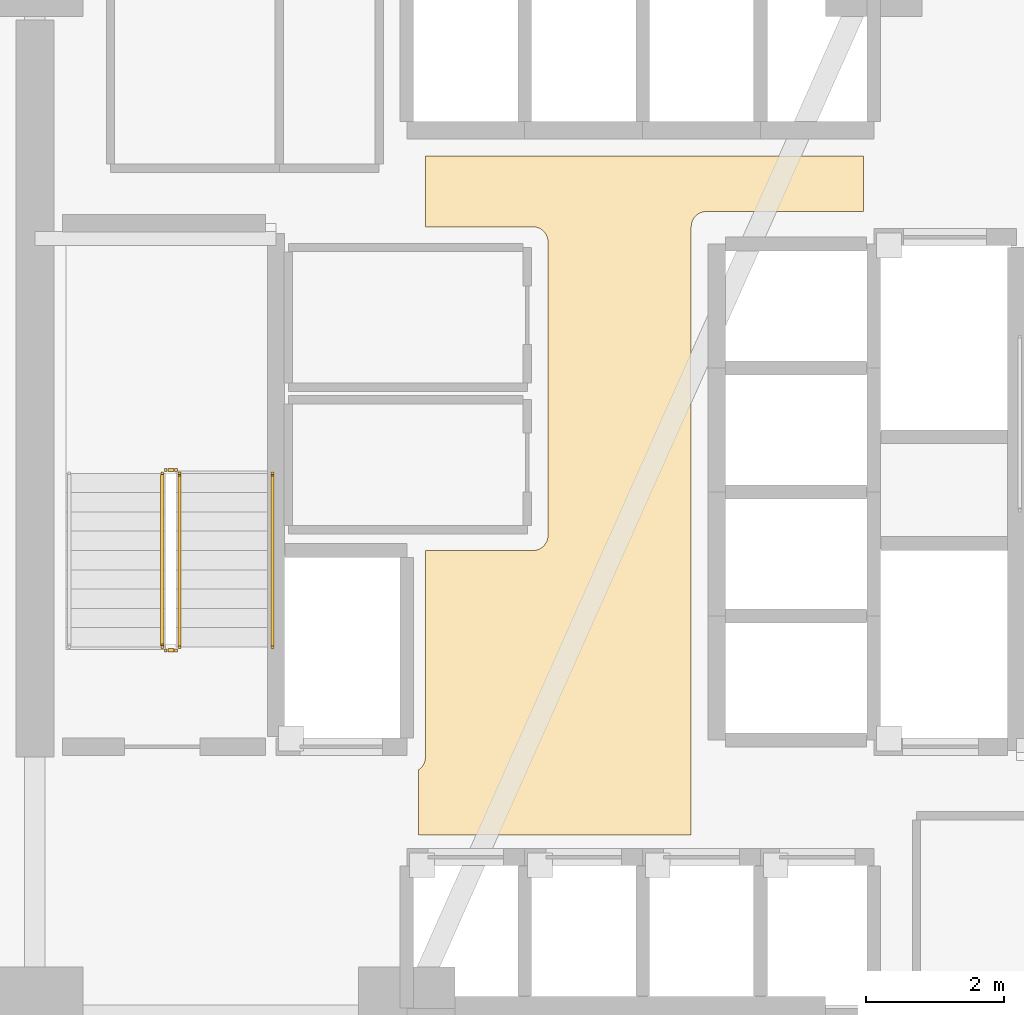
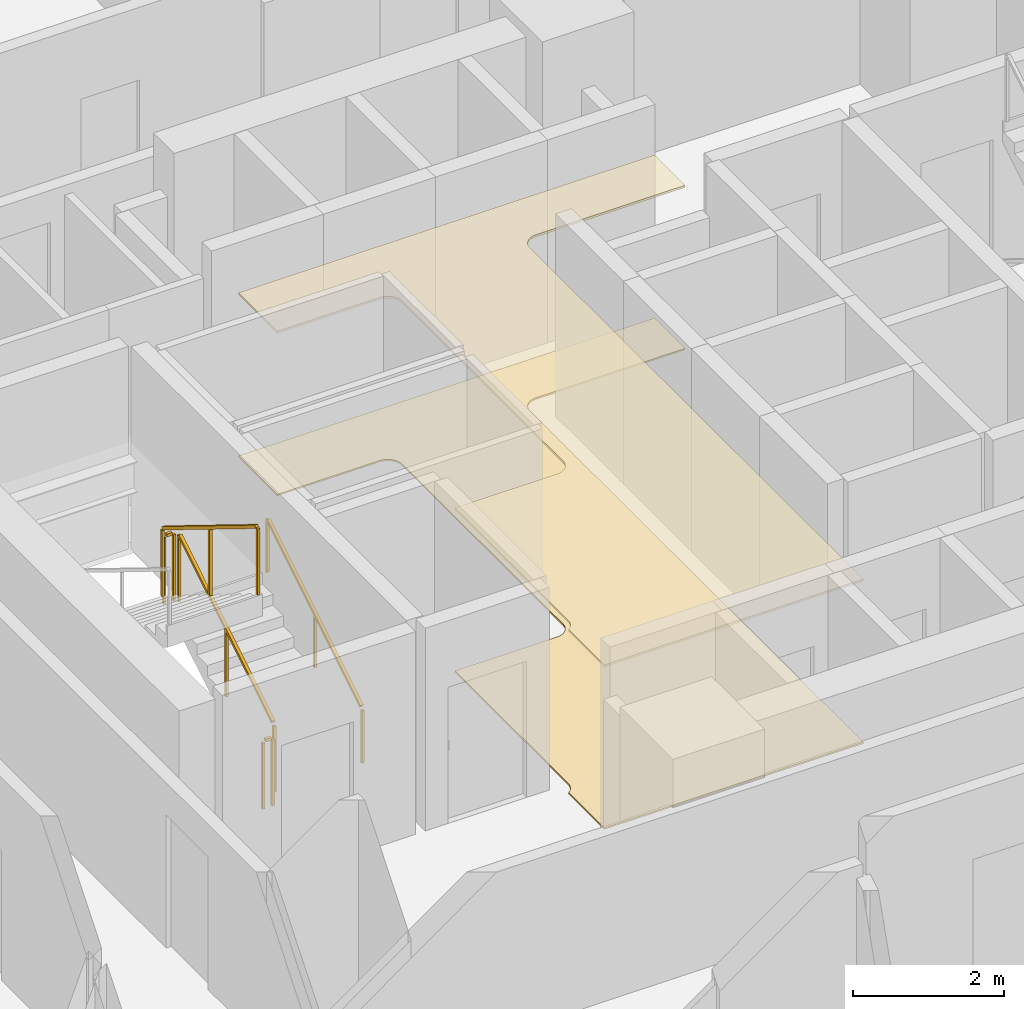
# One storey, part 12 of 15: 5 railings, 2 coverings.
"""IFC4 building model written with IfcOpenShell, lengths in metres."""

from ifc_helpers import new_model, si_unit, direction, frame, origin, origin_2d, place, context, subcontext, project, spatial, polyline, rectangle, outline, extrude, material, layer, layer_set, type_object, element, save


model = new_model("IFC4")

# Units and contexts
model_context = context("Model", 3, precision=1e-05, world=origin(), true_north=direction((0.0, 1.0)))
body_context = subcontext(model_context, "Body", "Model", "MODEL_VIEW")
ifc_project = project(units=[si_unit("LENGTHUNIT", "METRE"), si_unit("AREAUNIT", "SQUARE_METRE"), si_unit("VOLUMEUNIT", "CUBIC_METRE"), si_unit("PLANEANGLEUNIT", "RADIAN"), si_unit("MASSUNIT", "GRAM", prefix="KILO")], contexts=[model_context])

# Site, building, storey
site_placement = place(None, origin())
site = spatial("IfcSite", under=ifc_project, at=site_placement, CompositionType="ELEMENT")
building_placement = place(site_placement, origin())
building = spatial("IfcBuilding", under=site, at=building_placement, Name="Tharavind Bronze Gate", CompositionType="ELEMENT")
storey_placement = place(building_placement, frame((0.0, 0.0, 57.0)))
storey = spatial("IfcBuildingStorey", under=building, at=storey_placement, Name="L13", CompositionType="ELEMENT", Elevation=57.0)

# Coverings
ifc_material_1 = material(Name="Perforated Bronze Acoustic Panel", Category="bronze")
ifc_layer_1 = layer(ifc_material_1, 0.044921875)
ifc_layer_set_1 = layer_set([ifc_layer_1], Name="Perforated Bronze Acoustic Panel")
covering_type_1 = type_object("IfcCoveringType", Name="ACOUSTIC BRONZE BAFFLE CEILING", PredefinedType="CEILING", material=ifc_layer_set_1)
covering_1_placement = place(storey_placement, frame((0.0, 0.0, 2.625)))
element("IfcCovering", 1, at=covering_1_placement, inside=storey, type_object=covering_type_1, Name="L13-C-LL suspended ceiling", PredefinedType="CEILING", context=body_context, shape_type="SweptSolid", body=[
    extrude(outline(polyline([(-3.330078125, -4.97998046875), (0.6298828125, -4.97998046875), (0.6298828125, 3.85009765625), (0.631103515625, 3.87158203125), (0.63427734375, 3.892822265625), (0.639404296875, 3.913818359375), (0.646728515625, 3.93408203125), (0.656005859375, 3.95361328125), (0.6669921875, 3.97216796875), (0.679931640625, 3.989501953125), (0.6943359375, 4.005615234375), (0.71044921875, 4.02001953125), (0.727783203125, 4.032958984375), (0.746337890625, 4.0439453125), (0.765869140625, 4.05322265625), (0.7861328125, 4.060546875), (0.80712890625, 4.06591796875), (0.828369140625, 4.06884765625), (0.85009765625, 4.070068359375), (3.1298828125, 4.070068359375), (3.1298828125, 4.8798828125), (-3.22998046875, 4.8798828125), (-3.22998046875, 3.85009765625), (-1.669921875, 3.85009765625), (-1.6484375, 3.848876953125), (-1.627197265625, 3.845703125), (-1.606201171875, 3.840576171875), (-1.585693359375, 3.833251953125), (-1.56640625, 3.823974609375), (-1.5478515625, 3.81298828125), (-1.530517578125, 3.800048828125), (-1.514404296875, 3.78564453125), (-1.5, 3.76953125), (-1.487060546875, 3.752197265625), (-1.47607421875, 3.733642578125), (-1.466796875, 3.714111328125), (-1.45947265625, 3.69384765625), (-1.4541015625, 3.6728515625), (-1.451171875, 3.651611328125), (-1.449951171875, 3.6298828125), (-1.449951171875, 1.43994140625), (-1.450439453125, 1.429931640625), (-1.449951171875, 1.419921875), (-1.449951171875, -0.6298828125), (-1.451171875, -0.651611328125), (-1.4541015625, -0.6728515625), (-1.45947265625, -0.69384765625), (-1.466796875, -0.714111328125), (-1.47607421875, -0.733642578125), (-1.487060546875, -0.752197265625), (-1.5, -0.76953125), (-1.514404296875, -0.78564453125), (-1.530517578125, -0.800048828125), (-1.5478515625, -0.81298828125), (-1.56640625, -0.823974609375), (-1.585693359375, -0.833251953125), (-1.606201171875, -0.840576171875), (-1.627197265625, -0.845703125), (-1.6484375, -0.848876953125), (-1.669921875, -0.85009765625), (-3.22998046875, -0.85009765625), (-3.22998046875, -3.85009765625), (-3.231201171875, -3.87158203125), (-3.234130859375, -3.892822265625), (-3.239501953125, -3.913818359375), (-3.24658203125, -3.93408203125), (-3.256103515625, -3.95361328125), (-3.26708984375, -3.97216796875), (-3.27978515625, -3.989501953125), (-3.29443359375, -4.005615234375), (-3.310302734375, -4.02001953125), (-3.327880859375, -4.032958984375), (-3.330078125, -4.0341796875), (-3.330078125, -4.97998046875)])), origin(), (0.0, 0.0, 1.0), 0.034912109375),
])
ifc_material_2 = material(Name="Honed Travertine Limestone", Category="masonry")
ifc_layer_2 = layer(ifc_material_2, 0.030029296875)
ifc_layer_set_2 = layer_set([ifc_layer_2], Name="Honed Travertine Limestone")
covering_type_2 = type_object("IfcCoveringType", Name="HONED LIMESTONE FLOORING", PredefinedType="FLOORING", material=ifc_layer_set_2)
covering_2_placement = place(storey_placement, origin())
element("IfcCovering", 2, at=covering_2_placement, inside=storey, type_object=covering_type_2, Name="L13-C-LL floor finish", PredefinedType="FLOORING", context=body_context, shape_type="SweptSolid", body=[
    extrude(outline(polyline([(-3.330078125, -4.97998046875), (0.6298828125, -4.97998046875), (0.6298828125, 3.85009765625), (0.631103515625, 3.87158203125), (0.63427734375, 3.892822265625), (0.639404296875, 3.913818359375), (0.646728515625, 3.93408203125), (0.656005859375, 3.95361328125), (0.6669921875, 3.97216796875), (0.679931640625, 3.989501953125), (0.6943359375, 4.005615234375), (0.71044921875, 4.02001953125), (0.727783203125, 4.032958984375), (0.746337890625, 4.0439453125), (0.765869140625, 4.05322265625), (0.7861328125, 4.060546875), (0.80712890625, 4.06591796875), (0.828369140625, 4.06884765625), (0.85009765625, 4.070068359375), (3.1298828125, 4.070068359375), (3.1298828125, 4.8798828125), (-3.22998046875, 4.8798828125), (-3.22998046875, 3.85009765625), (-1.669921875, 3.85009765625), (-1.6484375, 3.848876953125), (-1.627197265625, 3.845703125), (-1.606201171875, 3.840576171875), (-1.585693359375, 3.833251953125), (-1.56640625, 3.823974609375), (-1.5478515625, 3.81298828125), (-1.530517578125, 3.800048828125), (-1.514404296875, 3.78564453125), (-1.5, 3.76953125), (-1.487060546875, 3.752197265625), (-1.47607421875, 3.733642578125), (-1.466796875, 3.714111328125), (-1.45947265625, 3.69384765625), (-1.4541015625, 3.6728515625), (-1.451171875, 3.651611328125), (-1.449951171875, 3.6298828125), (-1.449951171875, 1.43994140625), (-1.450439453125, 1.429931640625), (-1.449951171875, 1.419921875), (-1.449951171875, -0.6298828125), (-1.451171875, -0.651611328125), (-1.4541015625, -0.6728515625), (-1.45947265625, -0.69384765625), (-1.466796875, -0.714111328125), (-1.47607421875, -0.733642578125), (-1.487060546875, -0.752197265625), (-1.5, -0.76953125), (-1.514404296875, -0.78564453125), (-1.530517578125, -0.800048828125), (-1.5478515625, -0.81298828125), (-1.56640625, -0.823974609375), (-1.585693359375, -0.833251953125), (-1.606201171875, -0.840576171875), (-1.627197265625, -0.845703125), (-1.6484375, -0.848876953125), (-1.669921875, -0.85009765625), (-3.22998046875, -0.85009765625), (-3.22998046875, -3.85009765625), (-3.231201171875, -3.87158203125), (-3.234130859375, -3.892822265625), (-3.239501953125, -3.913818359375), (-3.24658203125, -3.93408203125), (-3.256103515625, -3.95361328125), (-3.26708984375, -3.97216796875), (-3.27978515625, -3.989501953125), (-3.29443359375, -4.005615234375), (-3.310302734375, -4.02001953125), (-3.327880859375, -4.032958984375), (-3.330078125, -4.0341796875), (-3.330078125, -4.97998046875)])), origin(), (0.0, 0.0, 1.0), 0.02490234375),
])

# Railings
ifc_material_3 = material(Name="Brushed Bronze Alloy", Category="metal")
railing_type_1 = type_object("IfcRailingType", Name="STAIR BRONZE HANDRAIL 900", PredefinedType="HANDRAIL", material=ifc_material_3)
railing_1_placement = place(storey_placement, frame((-5.449951171875, -2.25, 0.172607421875)))
element("IfcRailing", 3, at=railing_1_placement, inside=storey, type_object=railing_type_1, Name="L13 ST1 stair handrail 1", PredefinedType="HANDRAIL", context=body_context, shape_type="SweptSolid", body=[
    extrude(rectangle(XDim=0.048095703125, YDim=0.048095703125, at=origin_2d()), frame((0.0, 0.02734375, 0.892578125), z_axis=(0.0, 0.851400495292, 0.524516154772), x_axis=(-1.0, 0.0, 0.0)), (0.0, 0.0, 1.0), 2.895751953125),
    extrude(rectangle(XDim=0.0400390625, YDim=0.0400390625, at=origin_2d()), origin(), (0.0, 0.0, 1.0), 0.847900390625),
    extrude(rectangle(XDim=0.0400390625, YDim=0.0400390625, at=origin_2d()), frame((0.0, 1.260009765625, 0.7763671875)), (0.0, 0.0, 1.0), 0.847900390625),
    extrude(rectangle(XDim=0.0400390625, YDim=0.0400390625, at=origin_2d()), frame((0.0, 2.52001953125, 1.552490234375)), (0.0, 0.0, 1.0), 0.847900390625),
])
railing_type_2 = type_object("IfcRailingType", Name="STAIR WELL GUARD RAILING 1120", PredefinedType="GUARDRAIL", material=ifc_material_3)
railing_2_placement = place(storey_placement, frame((-6.800048828125, -2.25, 0.172607421875)))
element("IfcRailing", 4, at=railing_2_placement, inside=storey, type_object=railing_type_2, Name="L13 ST1 stair guard 1", PredefinedType="GUARDRAIL", context=body_context, shape_type="SweptSolid", body=[
    extrude(rectangle(XDim=0.048095703125, YDim=0.048095703125, at=origin_2d()), frame((0.0, 0.02734375, 1.11279296875), z_axis=(0.0, 0.851400495292, 0.524516154772), x_axis=(-1.0, 0.0, 0.0)), (0.0, 0.0, 1.0), 2.895751953125),
    extrude(rectangle(XDim=0.0400390625, YDim=0.0400390625, at=origin_2d()), origin(), (0.0, 0.0, 1.0), 1.068115234375),
    extrude(rectangle(XDim=0.0400390625, YDim=0.0400390625, at=origin_2d()), frame((0.0, 1.260009765625, 0.7763671875)), (0.0, 0.0, 1.0), 1.068115234375),
    extrude(rectangle(XDim=0.0400390625, YDim=0.0400390625, at=origin_2d()), frame((0.0, 2.52001953125, 1.552490234375)), (0.0, 0.0, 1.0), 1.068115234375),
])
railing_3_placement = place(storey_placement, frame((-6.85009765625, 0.320068359375, 1.72509765625)))
element("IfcRailing", 5, at=railing_3_placement, inside=storey, type_object=railing_type_2, Name="L13 ST1 stair guard 2", PredefinedType="GUARDRAIL", context=body_context, shape_type="SweptSolid", body=[
    extrude(rectangle(XDim=0.048095703125, YDim=0.048095703125, at=origin_2d()), frame((-0.031982421875, 0.0, 1.09619140625), z_axis=(-1.0, 0.0, 0.0), x_axis=(0.0, -1.0, 0.0)), (0.0, 0.0, 1.0), 0.0859375),
    extrude(rectangle(XDim=0.0400390625, YDim=0.0400390625, at=origin_2d()), origin(), (0.0, 0.0, 1.0), 1.068115234375),
    extrude(rectangle(XDim=0.0400390625, YDim=0.0400390625, at=origin_2d()), frame((-0.14990234375, 0.0, 0.0)), (0.0, 0.0, 1.0), 1.068115234375),
])
railing_4_placement = place(storey_placement, frame((-7.050048828125, 0.27001953125, 1.8974609375)))
element("IfcRailing", 6, at=railing_4_placement, inside=storey, type_object=railing_type_2, Name="L13 ST1 stair guard 3", PredefinedType="GUARDRAIL", context=body_context, shape_type="SweptSolid", body=[
    extrude(rectangle(XDim=0.048095703125, YDim=0.048095703125, at=origin_2d()), frame((0.0, -0.02734375, 1.11279296875), z_axis=(0.0, -0.851400495292, 0.524516154772), x_axis=(1.0, 0.0, 0.0)), (0.0, 0.0, 1.0), 2.895751953125),
    extrude(rectangle(XDim=0.0400390625, YDim=0.0400390625, at=origin_2d()), origin(), (0.0, 0.0, 1.0), 1.068115234375),
    extrude(rectangle(XDim=0.0400390625, YDim=0.0400390625, at=origin_2d()), frame((0.0, -1.260009765625, 0.7763671875)), (0.0, 0.0, 1.0), 1.068115234375),
    extrude(rectangle(XDim=0.0400390625, YDim=0.0400390625, at=origin_2d()), frame((0.0, -2.52001953125, 1.552490234375)), (0.0, 0.0, 1.0), 1.068115234375),
])
railing_5_placement = place(storey_placement, frame((-6.85009765625, -2.300048828125, 0.0)))
element("IfcRailing", 7, at=railing_5_placement, inside=storey, type_object=railing_type_2, Name="L13 ST1 stair guard 4", PredefinedType="GUARDRAIL", context=body_context, shape_type="SweptSolid", body=[
    extrude(rectangle(XDim=0.048095703125, YDim=0.048095703125, at=origin_2d()), frame((-0.031982421875, 0.0, 1.09619140625), z_axis=(-1.0, 0.0, 0.0), x_axis=(0.0, -1.0, 0.0)), (0.0, 0.0, 1.0), 0.0859375),
    extrude(rectangle(XDim=0.0400390625, YDim=0.0400390625, at=origin_2d()), origin(), (0.0, 0.0, 1.0), 1.068115234375),
    extrude(rectangle(XDim=0.0400390625, YDim=0.0400390625, at=origin_2d()), frame((-0.14990234375, 0.0, 0.0)), (0.0, 0.0, 1.0), 1.068115234375),
])

save(model, "model.ifc")
